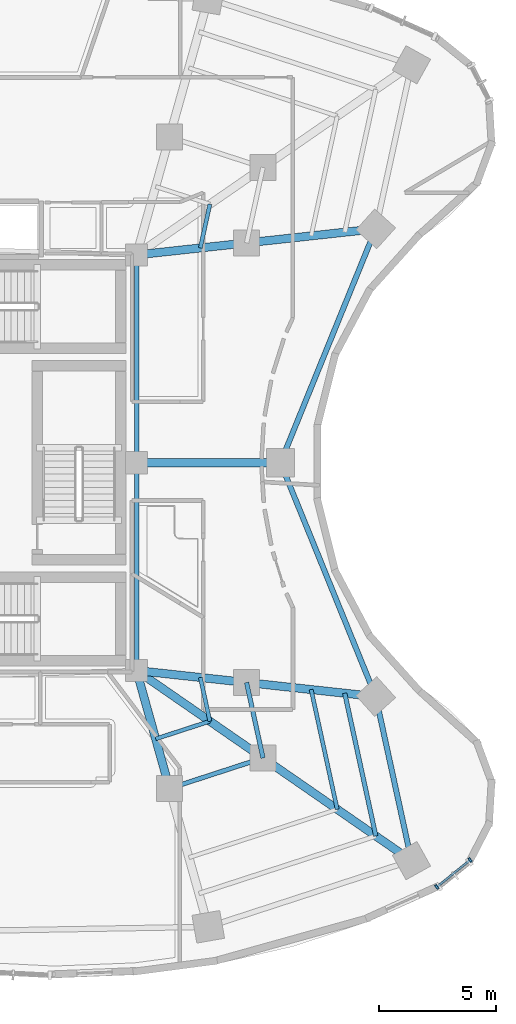
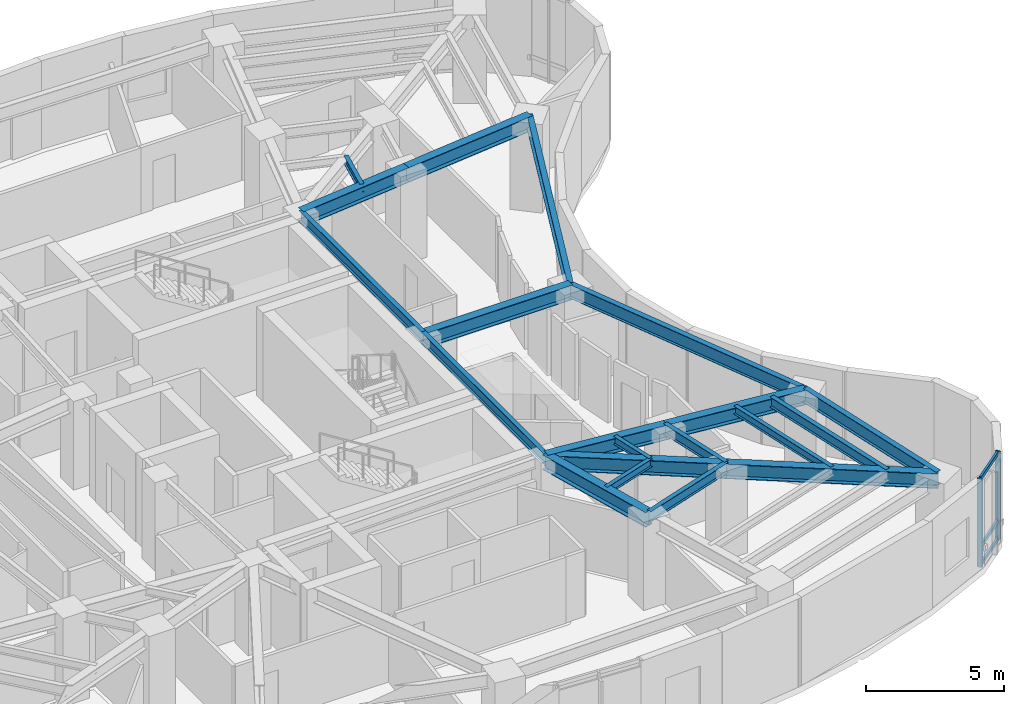
# One storey, part 4 of 15: 20 beams, 5 members, 1 element without a shape of its own.
"""IFC4 building model written with IfcOpenShell, lengths in metres."""

from ifc_helpers import new_model, si_unit, direction, frame, origin, origin_2d, place, context, subcontext, project, spatial, rectangle, i_section, extrude, material, layer, layer_set, material_profile, profile_set, type_object, element, aggregate, save


model = new_model("IFC4")

# Units and contexts
model_context = context("Model", 3, precision=1e-05, world=origin(), true_north=direction((0.0, 1.0)))
body_context = subcontext(model_context, "Body", "Model", "MODEL_VIEW")
ifc_project = project(units=[si_unit("LENGTHUNIT", "METRE"), si_unit("AREAUNIT", "SQUARE_METRE"), si_unit("VOLUMEUNIT", "CUBIC_METRE"), si_unit("PLANEANGLEUNIT", "RADIAN"), si_unit("MASSUNIT", "GRAM", prefix="KILO")], contexts=[model_context])

# Site, building, storey
site_placement = place(None, origin())
site = spatial("IfcSite", under=ifc_project, at=site_placement, CompositionType="ELEMENT")
building_placement = place(site_placement, origin())
building = spatial("IfcBuilding", under=site, at=building_placement, Name="Korentha Bioscience Tower", CompositionType="ELEMENT")
storey_placement = place(building_placement, frame((0.0, 0.0, 98.39990234375)))
storey = spatial("IfcBuildingStorey", under=building, at=storey_placement, Name="L22", CompositionType="ELEMENT", Elevation=98.39990234375)

# Beams
ifc_material_1 = material(Name="Steel S355", Category="steel")
ifc_material_profile_1 = material_profile(ifc_material_1, i_section(OverallWidth=0.18994140625, OverallDepth=0.45703125, WebThickness=0.009033203125, FlangeThickness=0.014404296875, at=origin_2d()), Name="Steel S355")
ifc_profile_set_1 = profile_set([ifc_material_profile_1], Name="Steel S355 (MB-460)")
beam_type_1 = type_object("IfcBeamType", Name="Mid-Ring Tie Girder W460x74", PredefinedType="BEAM", material=ifc_profile_set_1)
beam_1_placement = place(storey_placement, frame((38.954833984375, 13.129150390625, 3.671630859375), z_axis=(0.95087582253, 0.309572560361, 0.0), x_axis=(-0.309572560361, 0.95087582253, 0.0)))
element("IfcBeam", 1, at=beam_1_placement, inside=storey, type_object=beam_type_1, Name="L22 Mid-Ring Tie Girder 12", PredefinedType="BEAM", context=body_context, shape_type="SweptSolid", body=[
    extrude(i_section(OverallWidth=0.18994140625, OverallDepth=0.45703125, WebThickness=0.009033203125, FlangeThickness=0.014404296875, at=origin_2d()), origin(), (0.0, 0.0, 1.0), 4.186767578125),
])
beam_2_placement = place(storey_placement, frame((42.93603515625, 14.42529296875, 3.671630859375), z_axis=(-0.212928773299, 0.977067724112, 0.0), x_axis=(-0.977067724112, -0.212928773299, 0.0)))
element("IfcBeam", 2, at=beam_2_placement, inside=storey, type_object=beam_type_1, Name="L22 Mid-Ring Tie Girder 13", PredefinedType="BEAM", context=body_context, shape_type="SweptSolid", body=[
    extrude(i_section(OverallWidth=0.18994140625, OverallDepth=0.45703125, WebThickness=0.009033203125, FlangeThickness=0.014404296875, at=origin_2d()), origin(), (0.0, 0.0, 1.0), 3.28955078125),
])
for number, where, z_axis, x_axis, name in (
    (3, (37.550048828125, 18.14990234375, 3.671630859375), (0.0, 1.0, 0.0), (-1.0, 0.0, 0.0), "L22 Core Ring Tie Girder 06"),
    (4, (37.550048828125, 27.0, 3.671630859375), (0.0, 1.0, 0.0), (-1.0, 0.0, 0.0), "L22 Core Ring Tie Girder 07"),
):
    element("IfcBeam", number, at=place(storey_placement, frame(where, z_axis=z_axis, x_axis=x_axis)), inside=storey, type_object=beam_type_1, Name=name, PredefinedType="BEAM", context=body_context, shape_type="SweptSolid", body=[
        extrude(i_section(OverallWidth=0.18994140625, OverallDepth=0.45703125, WebThickness=0.009033203125, FlangeThickness=0.014404296875, at=origin_2d()), origin(), (0.0, 0.0, 1.0), 8.85009765625),
    ])

# Curtain wall, members
ifc_material_2 = material(Name="Thermally Broken Aluminium Frame", Category="aluminium")
ifc_layer = layer(ifc_material_2, 0.219970703125, Name="Thermally Broken Aluminium Frame")
ifc_layer_set = layer_set([ifc_layer], Name="Thermally Broken Aluminium Frame (CW-T2)")
curtain_wall_type = type_object("IfcCurtainWallType", Name="Solar-Screened Lab Unitised Curtain Wall CW-T2", PredefinedType="USERDEFINED", material=ifc_layer_set)
curtain_wall_placement = place(storey_placement, origin())
curtain_wall = element("IfcCurtainWall", 5, at=curtain_wall_placement, inside=storey, type_object=curtain_wall_type, Name="L22 Curtain Wall 37", ObjectType="UNITISED", PredefinedType="USERDEFINED")
ifc_material_3 = material(Name="Anodised Aluminium 6063-T6", Category="aluminium")
ifc_material_profile_2 = material_profile(ifc_material_3, rectangle(XDim=0.090087890625, YDim=0.199951171875, at=origin_2d()), Name="Anodised Aluminium 6063-T6")
ifc_profile_set_2 = profile_set([ifc_material_profile_2], Name="Anodised Aluminium 6063-T6 (CW-MUL)")
member_type_1 = type_object("IfcMemberType", Name="Mullion RECT 90x200", PredefinedType="MULLION", material=ifc_profile_set_2)
member_1_placement = place(storey_placement, frame((50.337158203125, 8.931884765625, 0.0), z_axis=(0.0, 0.0, 1.0), x_axis=(0.777315301098, 0.629111216463, 0.0)))
member_1 = element("IfcMember", 6, at=member_1_placement, type_object=member_type_1, Name="CW-L22-37 Mullion 1", PredefinedType="MULLION", context=body_context, shape_type="SweptSolid", body=[
    extrude(rectangle(XDim=0.090087890625, YDim=0.199951171875, at=origin_2d()), origin(), (0.0, 0.0, 1.0), 3.900146484375),
])
member_2_placement = place(storey_placement, frame((51.7578125, 10.08154296875, 0.0), z_axis=(0.0, 0.0, 1.0), x_axis=(0.777315301098, 0.629111216463, 0.0)))
member_2 = element("IfcMember", 7, at=member_2_placement, type_object=member_type_1, Name="CW-L22-37 Mullion 2", PredefinedType="MULLION", context=body_context, shape_type="SweptSolid", body=[
    extrude(rectangle(XDim=0.090087890625, YDim=0.199951171875, at=origin_2d()), origin(), (0.0, 0.0, 1.0), 3.900146484375),
])

# Beams
ifc_material_profile_3 = material_profile(ifc_material_1, i_section(OverallWidth=0.22802734375, OverallDepth=0.60791015625, WebThickness=0.01123046875, FlangeThickness=0.017333984375, at=origin_2d()), Name="Steel S355")
ifc_profile_set_3 = profile_set([ifc_material_profile_3], Name="Steel S355 (SB-610)")
beam_type_2 = type_object("IfcBeamType", Name="Perimeter Ring Spandrel Girder W610x113", PredefinedType="SPANDREL", material=ifc_profile_set_3)
beam_3_placement = place(storey_placement, frame((49.2587890625, 10.052978515625, 3.59619140625), z_axis=(-0.212927102256, 0.977068088275, 0.0), x_axis=(-0.977068088275, -0.212927102256, 0.0)))
element("IfcBeam", 8, at=beam_3_placement, inside=storey, type_object=beam_type_2, Name="L22 Perimeter Spandrel Girder 13", PredefinedType="SPANDREL", context=body_context, shape_type="SweptSolid", body=[
    extrude(i_section(OverallWidth=0.22802734375, OverallDepth=0.60791015625, WebThickness=0.01123046875, FlangeThickness=0.017333984375, at=origin_2d()), origin(), (0.0, 0.0, 1.0), 7.1513671875),
])
for number, where, z_axis, x_axis, name in (
    (9, (47.736083984375, 17.040283203125, 3.59619140625), (-0.37709856037, 0.926173134876, 0.0), (-0.926173134876, -0.37709856037, 0.0), "L22 Perimeter Spandrel Girder 14"),
    (10, (43.680908203125, 27.0, 3.59619140625), (0.37709856037, 0.926173134876, 0.0), (-0.926173134876, 0.37709856037, 0.0), "L22 Perimeter Spandrel Girder 15"),
):
    element("IfcBeam", number, at=place(storey_placement, frame(where, z_axis=z_axis, x_axis=x_axis)), inside=storey, type_object=beam_type_2, Name=name, PredefinedType="SPANDREL", context=body_context, shape_type="SweptSolid", body=[
        extrude(i_section(OverallWidth=0.22802734375, OverallDepth=0.60791015625, WebThickness=0.01123046875, FlangeThickness=0.017333984375, at=origin_2d()), origin(), (0.0, 0.0, 1.0), 10.753662109375),
    ])
ifc_material_profile_4 = material_profile(ifc_material_1, i_section(OverallWidth=0.18994140625, OverallDepth=0.45703125, WebThickness=0.009033203125, FlangeThickness=0.014404296875, at=origin_2d()), Name="Steel S355")
ifc_profile_set_4 = profile_set([ifc_material_profile_4], Name="Steel S355 (RB-460)")
beam_type_3 = type_object("IfcBeamType", Name="Radial Laboratory Beam W460x74", PredefinedType="BEAM", material=ifc_profile_set_4)
beam_4_placement = place(storey_placement, frame((47.7412109375, 11.1025390625, 3.671630859375), z_axis=(-0.21290837934, 0.977072168269, 0.0), x_axis=(-0.977072168269, -0.21290837934, 0.0)))
element("IfcBeam", 11, at=beam_4_placement, inside=storey, type_object=beam_type_3, Name="L22 Secondary Floor Beam JSTO-13", PredefinedType="BEAM", context=body_context, shape_type="SweptSolid", body=[
    extrude(i_section(OverallWidth=0.18994140625, OverallDepth=0.45703125, WebThickness=0.009033203125, FlangeThickness=0.014404296875, at=origin_2d()), origin(), (0.0, 0.0, 1.0), 6.224365234375),
])
ifc_material_profile_5 = material_profile(ifc_material_1, i_section(OverallWidth=0.35009765625, OverallDepth=0.64990234375, WebThickness=0.01611328125, FlangeThickness=0.02490234375, at=origin_2d()), Name="Steel S355")
ifc_profile_set_5 = profile_set([ifc_material_profile_5], Name="Steel S355 (RB-650)")
beam_type_4 = type_object("IfcBeamType", Name="Radial Laboratory Girder CVS 650x208", PredefinedType="BEAM", material=ifc_profile_set_5)
beam_5_placement = place(storey_placement, frame((37.550048828125, 18.14990234375, 3.5751953125), z_axis=(0.269447542125, -0.96301506844, 0.0), x_axis=(0.96301506844, 0.269447542125, 0.0)))
element("IfcBeam", 12, at=beam_5_placement, inside=storey, type_object=beam_type_4, Name="L22 Inner Radial Girder 12", PredefinedType="BEAM", context=body_context, shape_type="SweptSolid", body=[
    extrude(i_section(OverallWidth=0.35009765625, OverallDepth=0.64990234375, WebThickness=0.01611328125, FlangeThickness=0.02490234375, at=origin_2d()), origin(), (0.0, 0.0, 1.0), 5.213623046875),
])
beam_6_placement = place(storey_placement, frame((37.550048828125, 18.14990234375, 3.5751953125), z_axis=(0.822488699387, -0.568781451333, 0.0), x_axis=(0.568781451333, 0.822488699387, 0.0)))
element("IfcBeam", 13, at=beam_6_placement, inside=storey, type_object=beam_type_4, Name="L22 Inner Radial Girder 13", PredefinedType="BEAM", context=body_context, shape_type="SweptSolid", body=[
    extrude(i_section(OverallWidth=0.35009765625, OverallDepth=0.64990234375, WebThickness=0.01611328125, FlangeThickness=0.02490234375, at=origin_2d()), origin(), (0.0, 0.0, 1.0), 6.54833984375),
])
beam_7_placement = place(storey_placement, frame((42.93603515625, 14.42529296875, 3.5751953125), z_axis=(0.822495056204, -0.568772258922, 0.0), x_axis=(0.568772258922, 0.822495056204, 0.0)))
element("IfcBeam", 14, at=beam_7_placement, inside=storey, type_object=beam_type_4, Name="L22 Outer Radial Girder 13", PredefinedType="BEAM", context=body_context, shape_type="SweptSolid", body=[
    extrude(i_section(OverallWidth=0.35009765625, OverallDepth=0.64990234375, WebThickness=0.01611328125, FlangeThickness=0.02490234375, at=origin_2d()), origin(), (0.0, 0.0, 1.0), 7.687255859375),
])
beam_8_placement = place(storey_placement, frame((37.550048828125, 18.14990234375, 3.5751953125), z_axis=(0.994117092476, -0.108310694058, 0.0), x_axis=(0.108310694058, 0.994117092476, 0.0)))
element("IfcBeam", 15, at=beam_8_placement, inside=storey, type_object=beam_type_4, Name="L22 Inner Radial Girder 14", PredefinedType="BEAM", context=body_context, shape_type="SweptSolid", body=[
    extrude(i_section(OverallWidth=0.35009765625, OverallDepth=0.64990234375, WebThickness=0.01611328125, FlangeThickness=0.02490234375, at=origin_2d()), origin(), (0.0, 0.0, 1.0), 4.71337890625),
])
beam_9_placement = place(storey_placement, frame((42.235595703125, 17.639404296875, 3.5751953125), z_axis=(0.994120325557, -0.108281015487, 0.0), x_axis=(0.108281015487, 0.994120325557, 0.0)))
element("IfcBeam", 16, at=beam_9_placement, inside=storey, type_object=beam_type_4, Name="L22 Outer Radial Girder 14", PredefinedType="BEAM", context=body_context, shape_type="SweptSolid", body=[
    extrude(i_section(OverallWidth=0.35009765625, OverallDepth=0.64990234375, WebThickness=0.01611328125, FlangeThickness=0.02490234375, at=origin_2d()), origin(), (0.0, 0.0, 1.0), 5.532958984375),
])
beam_10_placement = place(storey_placement, frame((37.550048828125, 27.0, 3.5751953125), z_axis=(1.0, 0.0, 0.0), x_axis=(0.0, 1.0, 0.0)))
element("IfcBeam", 17, at=beam_10_placement, inside=storey, type_object=beam_type_4, Name="L22 Radial Girder 15", PredefinedType="BEAM", context=body_context, shape_type="SweptSolid", body=[
    extrude(i_section(OverallWidth=0.35009765625, OverallDepth=0.64990234375, WebThickness=0.01611328125, FlangeThickness=0.02490234375, at=origin_2d()), origin(), (0.0, 0.0, 1.0), 6.130859375),
])
beam_11_placement = place(storey_placement, frame((37.550048828125, 35.85009765625, 3.5751953125), z_axis=(0.994117092476, 0.108310694058, 0.0), x_axis=(-0.108310694058, 0.994117092476, 0.0)))
element("IfcBeam", 18, at=beam_11_placement, inside=storey, type_object=beam_type_4, Name="L22 Inner Radial Girder 16", PredefinedType="BEAM", context=body_context, shape_type="SweptSolid", body=[
    extrude(i_section(OverallWidth=0.35009765625, OverallDepth=0.64990234375, WebThickness=0.01611328125, FlangeThickness=0.02490234375, at=origin_2d()), origin(), (0.0, 0.0, 1.0), 4.71337890625),
])
beam_12_placement = place(storey_placement, frame((42.235595703125, 36.360595703125, 3.5751953125), z_axis=(0.994120325557, 0.108281015487, 0.0), x_axis=(-0.108281015487, 0.994120325557, 0.0)))
element("IfcBeam", 19, at=beam_12_placement, inside=storey, type_object=beam_type_4, Name="L22 Outer Radial Girder 16", PredefinedType="BEAM", context=body_context, shape_type="SweptSolid", body=[
    extrude(i_section(OverallWidth=0.35009765625, OverallDepth=0.64990234375, WebThickness=0.01611328125, FlangeThickness=0.02490234375, at=origin_2d()), origin(), (0.0, 0.0, 1.0), 5.532958984375),
])
ifc_material_profile_6 = material_profile(ifc_material_1, i_section(OverallWidth=0.1708984375, OverallDepth=0.35498046875, WebThickness=0.007080078125, FlangeThickness=0.01171875, at=origin_2d()), Name="Steel S355")
ifc_profile_set_6 = profile_set([ifc_material_profile_6], Name="Steel S355 (JB-360)")
beam_type_5 = type_object("IfcBeamType", Name="Secondary Laboratory Joist W360x51", PredefinedType="JOIST", material=ifc_profile_set_6)
beam_13_placement = place(storey_placement, frame((38.36474609375, 15.23779296875, 3.72265625), z_axis=(0.950852158547, 0.30964523666, 0.0), x_axis=(-0.30964523666, 0.950852158547, 0.0)))
element("IfcBeam", 20, at=beam_13_placement, inside=storey, type_object=beam_type_5, Name="L22 Inner Bay Joist 12", PredefinedType="JOIST", context=body_context, shape_type="SweptSolid", body=[
    extrude(i_section(OverallWidth=0.1708984375, OverallDepth=0.35498046875, WebThickness=0.007080078125, FlangeThickness=0.01171875, at=origin_2d()), origin(), (0.0, 0.0, 1.0), 2.428466796875),
])
beam_14_placement = place(storey_placement, frame((46.097412109375, 12.2392578125, 3.72265625), z_axis=(-0.212932493609, 0.977066913351, 0.0), x_axis=(-0.977066913351, -0.212932493609, 0.0)))
element("IfcBeam", 21, at=beam_14_placement, inside=storey, type_object=beam_type_5, Name="L22 Secondary Floor Beam JST-13", PredefinedType="JOIST", context=body_context, shape_type="SweptSolid", body=[
    extrude(i_section(OverallWidth=0.1708984375, OverallDepth=0.35498046875, WebThickness=0.007080078125, FlangeThickness=0.01171875, at=origin_2d()), origin(), (0.0, 0.0, 1.0), 5.22021484375),
])
for number, where, z_axis, x_axis, name in (
    (22, (40.673828125, 15.98974609375, 3.72265625), (-0.212918344001, 0.977069996872, 0.0), (-0.977069996872, -0.212918344001, 0.0), "L22 Inner Bay Joist 13"),
    (23, (40.267578125, 36.14599609375, 3.72265625), (0.212918344001, 0.977069996872, 0.0), (-0.977069996872, 0.212918344001, 0.0), "L22 Inner Bay Joist 16"),
):
    element("IfcBeam", number, at=place(storey_placement, frame(where, z_axis=z_axis, x_axis=x_axis)), inside=storey, type_object=beam_type_5, Name=name, PredefinedType="JOIST", context=body_context, shape_type="SweptSolid", body=[
        extrude(i_section(OverallWidth=0.1708984375, OverallDepth=0.35498046875, WebThickness=0.007080078125, FlangeThickness=0.01171875, at=origin_2d()), origin(), (0.0, 0.0, 1.0), 1.907958984375),
    ])

# Member
ifc_material_profile_7 = material_profile(ifc_material_3, rectangle(XDim=0.090087890625, YDim=0.159912109375, at=origin_2d()), Name="Anodised Aluminium 6063-T6")
ifc_profile_set_7 = profile_set([ifc_material_profile_7], Name="Anodised Aluminium 6063-T6 (CW-TRN)")
member_type_2 = type_object("IfcMemberType", Name="Transom RECT 90x160", PredefinedType="USERDEFINED", material=ifc_profile_set_7)
member_3_placement = place(storey_placement, frame((50.3720703125, 8.960205078125, 0.045166015625), z_axis=(0.777333214738, 0.629089082137, 0.0), x_axis=(-0.629089082137, 0.777333214738, 0.0)))
member_3 = element("IfcMember", 24, at=member_3_placement, type_object=member_type_2, Name="CW-L22-37 Bay 1 Transom 1", ObjectType="TRANSOM", PredefinedType="USERDEFINED", context=body_context, shape_type="SweptSolid", body=[
    extrude(rectangle(XDim=0.090087890625, YDim=0.159912109375, at=origin_2d()), origin(), (0.0, 0.0, 1.0), 1.737548828125),
])

member_4_placement = place(storey_placement, frame((50.3720703125, 8.960205078125, 0.85009765625), z_axis=(0.777333214738, 0.629089082137, 0.0), x_axis=(-0.629089082137, 0.777333214738, 0.0)))
member_4 = element("IfcMember", 25, at=member_4_placement, type_object=member_type_2, Name="CW-L22-37 Bay 1 Transom 2", ObjectType="TRANSOM", PredefinedType="USERDEFINED", context=body_context, shape_type="SweptSolid", body=[
    extrude(rectangle(XDim=0.090087890625, YDim=0.159912109375, at=origin_2d()), origin(), (0.0, 0.0, 1.0), 1.737548828125),
])

member_5_placement = place(storey_placement, frame((50.3720703125, 8.960205078125, 3.85498046875), z_axis=(0.777333214738, 0.629089082137, 0.0), x_axis=(-0.629089082137, 0.777333214738, 0.0)))
member_5 = element("IfcMember", 26, at=member_5_placement, type_object=member_type_2, Name="CW-L22-37 Bay 1 Transom 3", ObjectType="TRANSOM", PredefinedType="USERDEFINED", context=body_context, shape_type="SweptSolid", body=[
    extrude(rectangle(XDim=0.090087890625, YDim=0.159912109375, at=origin_2d()), origin(), (0.0, 0.0, 1.0), 1.737548828125),
])

aggregate(curtain_wall, [member_1, member_2, member_3, member_4, member_5])

save(model, "model.ifc")
